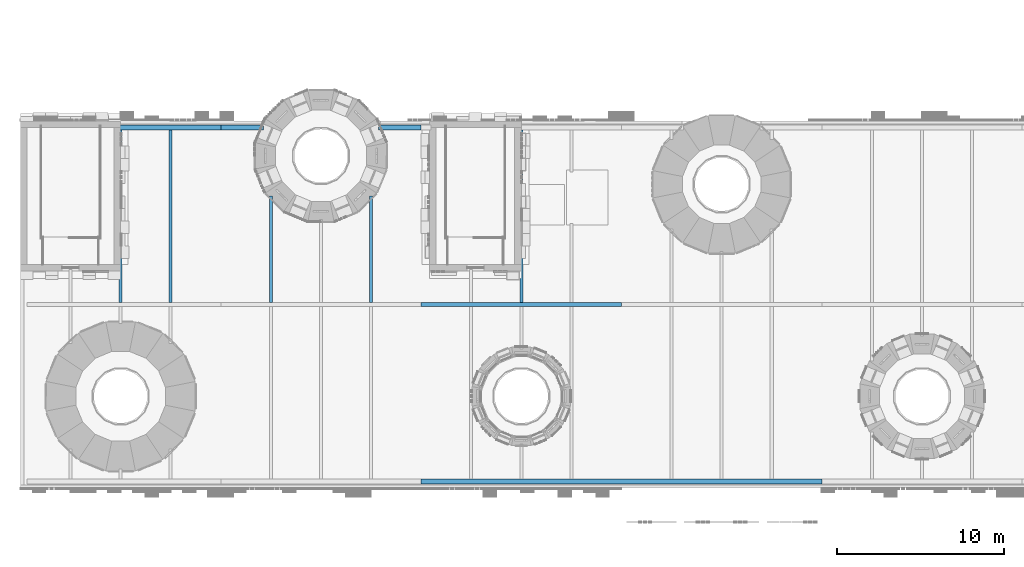
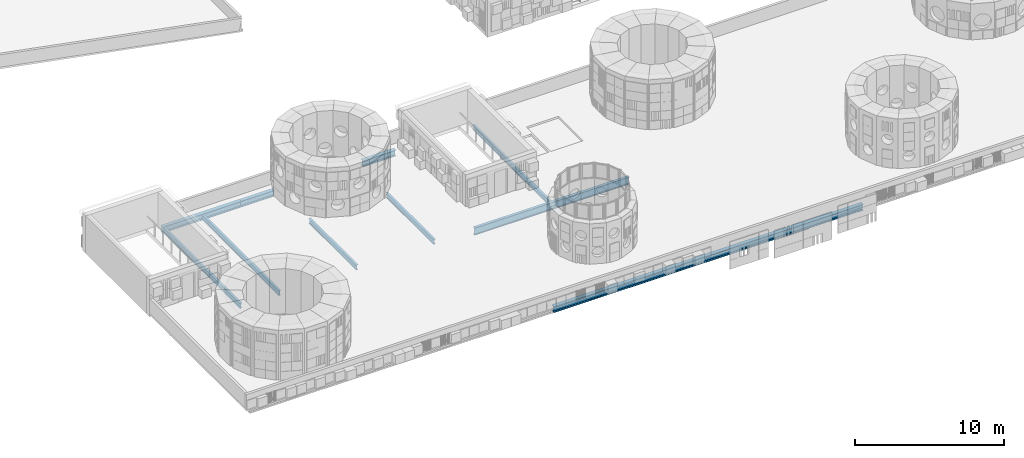
# One storey, part 5 of 98: 5 beams, 5 members.
"""IFC4 building model written with IfcOpenShell, lengths in metres."""

from ifc_helpers import new_model, si_unit, direction, frame, origin, origin_2d, place, context, subcontext, project, spatial, i_section, extrude, material, material_profile, profile_set, type_object, element, save


model = new_model("IFC4")

# Units and contexts
model_context = context("Model", 3, precision=1e-05, world=origin(), true_north=direction((0.0, 1.0)))
body_context = subcontext(model_context, "Body", "Model", "MODEL_VIEW")
ifc_project = project(units=[si_unit("LENGTHUNIT", "METRE"), si_unit("AREAUNIT", "SQUARE_METRE"), si_unit("VOLUMEUNIT", "CUBIC_METRE"), si_unit("PLANEANGLEUNIT", "RADIAN"), si_unit("MASSUNIT", "GRAM", prefix="KILO")], contexts=[model_context])

# Site, building, storey
site_placement = place(None, origin())
site = spatial("IfcSite", under=ifc_project, at=site_placement, CompositionType="ELEMENT")
building_placement = place(site_placement, origin())
building = spatial("IfcBuilding", under=site, at=building_placement, Name="Sun Court Science Centre", CompositionType="ELEMENT")
storey_placement = place(building_placement, frame((0.0, 0.0, 15.75)))
storey = spatial("IfcBuildingStorey", under=building, at=storey_placement, Name="L03", CompositionType="ELEMENT", Elevation=15.75)

# Members
ifc_material_1 = material(Name="Steel S275", Category="steel")
ifc_material_profile_1 = material_profile(ifc_material_1, i_section(OverallWidth=0.179931640625, OverallDepth=0.39990234375, WebThickness=0.008544921875, FlangeThickness=0.013427734375, FilletRadius=0.02099609375, at=origin_2d()), Name="IPE 400")
ifc_profile_set_1 = profile_set([ifc_material_profile_1], Name="Steel S275")
member_type = type_object("IfcMemberType", Name="Roof purlin IPE 400", PredefinedType="PURLIN", material=ifc_profile_set_1)
for number, where, z_axis, x_axis, name in (
    (1, (6.0, 17.110107421875, -0.35009765625), (0.0, 1.0, 0.0), (-1.0, 0.0, 0.0), "Roof purlin"),
    (2, (9.0, 17.110107421875, -0.35009765625), (0.0, 1.0, 0.0), (-1.0, 0.0, 0.0), "Roof purlin"),
):
    element("IfcMember", number, at=place(storey_placement, frame(where, z_axis=z_axis, x_axis=x_axis)), inside=storey, type_object=member_type, Name=name, PredefinedType="PURLIN", context=body_context, shape_type="SweptSolid", body=[
        extrude(i_section(OverallWidth=0.179931640625, OverallDepth=0.39990234375, WebThickness=0.008544921875, FlangeThickness=0.013427734375, FilletRadius=0.02099609375, at=origin_2d()), origin(), (0.0, 0.0, 1.0), 10.33984375),
    ])
for number, where, z_axis, x_axis, name in (
    (3, (15.0, 17.110107421875, -0.35009765625), (0.0, 1.0, 0.0), (-1.0, 0.0, 0.0), "Roof purlin"),
    (4, (21.0, 17.110107421875, -0.35009765625), (0.0, 1.0, 0.0), (-1.0, 0.0, 0.0), "Roof purlin"),
):
    element("IfcMember", number, at=place(storey_placement, frame(where, z_axis=z_axis, x_axis=x_axis)), inside=storey, type_object=member_type, Name=name, PredefinedType="PURLIN", context=body_context, shape_type="SweptSolid", body=[
        extrude(i_section(OverallWidth=0.179931640625, OverallDepth=0.39990234375, WebThickness=0.008544921875, FlangeThickness=0.013427734375, FilletRadius=0.02099609375, at=origin_2d()), origin(), (0.0, 0.0, 1.0), 6.383056640625),
    ])
member_placement = place(storey_placement, frame((30.0, 17.110107421875, -0.35009765625), z_axis=(0.0, 1.0, 0.0), x_axis=(-1.0, 0.0, 0.0)))
element("IfcMember", 5, at=member_placement, inside=storey, type_object=member_type, Name="Roof purlin", PredefinedType="PURLIN", context=body_context, shape_type="SweptSolid", body=[
    extrude(i_section(OverallWidth=0.179931640625, OverallDepth=0.39990234375, WebThickness=0.008544921875, FlangeThickness=0.013427734375, FilletRadius=0.02099609375, at=origin_2d()), origin(), (0.0, 0.0, 1.0), 10.33984375),
])

# Beams
ifc_material_2 = material(Name="Steel S355", Category="steel")
ifc_material_profile_2 = material_profile(ifc_material_2, i_section(OverallWidth=0.300048828125, OverallDepth=0.489990234375, WebThickness=0.011962890625, FlangeThickness=0.02294921875, FilletRadius=0.027099609375, at=origin_2d()), Name="HEA 500")
ifc_profile_set_2 = profile_set([ifc_material_profile_2], Name="Steel S355")
beam_type_1 = type_object("IfcBeamType", Name="Steel beam HEA 500", PredefinedType="BEAM", material=ifc_profile_set_2)
beam_1_placement = place(storey_placement, frame((24.0009765625, 6.39990234375, -0.39501953125), z_axis=(1.0, 0.0, 0.0), x_axis=(0.0, 1.0, 0.0)))
element("IfcBeam", 6, at=beam_1_placement, inside=storey, type_object=beam_type_1, Name="Roof girder line 1", PredefinedType="BEAM", context=body_context, shape_type="SweptSolid", body=[
    extrude(i_section(OverallWidth=0.300048828125, OverallDepth=0.489990234375, WebThickness=0.011962890625, FlangeThickness=0.02294921875, FilletRadius=0.027099609375, at=origin_2d()), origin(), (0.0, 0.0, 1.0), 23.998046875),
])
beam_2_placement = place(storey_placement, frame((5.89990234375, 27.60009765625, -0.39501953125), z_axis=(1.0, 0.0, 0.0), x_axis=(0.0, 1.0, 0.0)))
element("IfcBeam", 7, at=beam_2_placement, inside=storey, type_object=beam_type_1, Name="Roof girder line 3", PredefinedType="BEAM", context=body_context, shape_type="SweptSolid", body=[
    extrude(i_section(OverallWidth=0.300048828125, OverallDepth=0.489990234375, WebThickness=0.011962890625, FlangeThickness=0.02294921875, FilletRadius=0.027099609375, at=origin_2d()), origin(), (0.0, 0.0, 1.0), 6.09912109375),
])
for number, where, z_axis, x_axis, name in (
    (8, (12.0009765625, 27.60009765625, -0.39501953125), (1.0, 0.0, 0.0), (0.0, 1.0, 0.0), "Roof girder line 3"),
    (9, (21.43408203125, 27.60009765625, -0.39501953125), (1.0, 0.0, 0.0), (0.0, 1.0, 0.0), "Roof girder line 3"),
):
    element("IfcBeam", number, at=place(storey_placement, frame(where, z_axis=z_axis, x_axis=x_axis)), inside=storey, type_object=beam_type_1, Name=name, PredefinedType="BEAM", context=body_context, shape_type="SweptSolid", body=[
        extrude(i_section(OverallWidth=0.300048828125, OverallDepth=0.489990234375, WebThickness=0.011962890625, FlangeThickness=0.02294921875, FilletRadius=0.027099609375, at=origin_2d()), origin(), (0.0, 0.0, 1.0), 2.56494140625),
    ])
ifc_material_3 = material(Name="Steel S355", Category="steel")
ifc_material_profile_3 = material_profile(ifc_material_3, i_section(OverallWidth=0.219970703125, OverallDepth=0.60009765625, WebThickness=0.011962890625, FlangeThickness=0.01904296875, FilletRadius=0.02392578125, at=origin_2d()), Name="IPE 600")
ifc_profile_set_3 = profile_set([ifc_material_profile_3], Name="Steel S355")
beam_type_2 = type_object("IfcBeamType", Name="Steel beam IPE 600", PredefinedType="BEAM", material=ifc_profile_set_3)
beam_3_placement = place(storey_placement, frame((24.0009765625, 17.0, -0.449951171875), z_axis=(1.0, 0.0, 0.0), x_axis=(0.0, 1.0, 0.0)))
element("IfcBeam", 10, at=beam_3_placement, inside=storey, type_object=beam_type_2, Name="Roof girder line 2", PredefinedType="BEAM", context=body_context, shape_type="SweptSolid", body=[
    extrude(i_section(OverallWidth=0.219970703125, OverallDepth=0.60009765625, WebThickness=0.011962890625, FlangeThickness=0.01904296875, FilletRadius=0.02392578125, at=origin_2d()), origin(), (0.0, 0.0, 1.0), 11.998046875),
])

save(model, "model.ifc")
